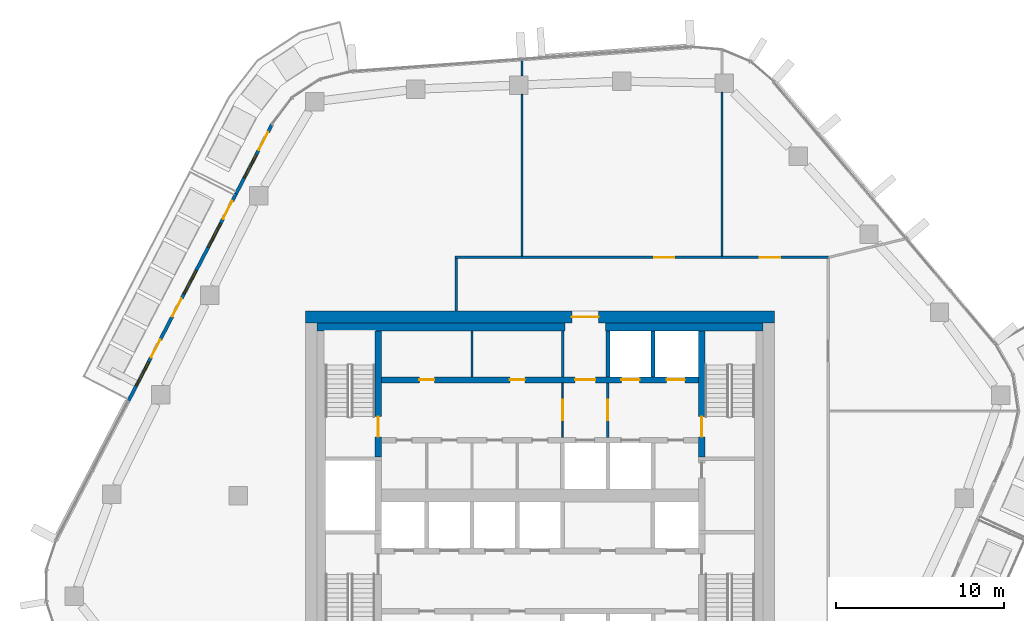
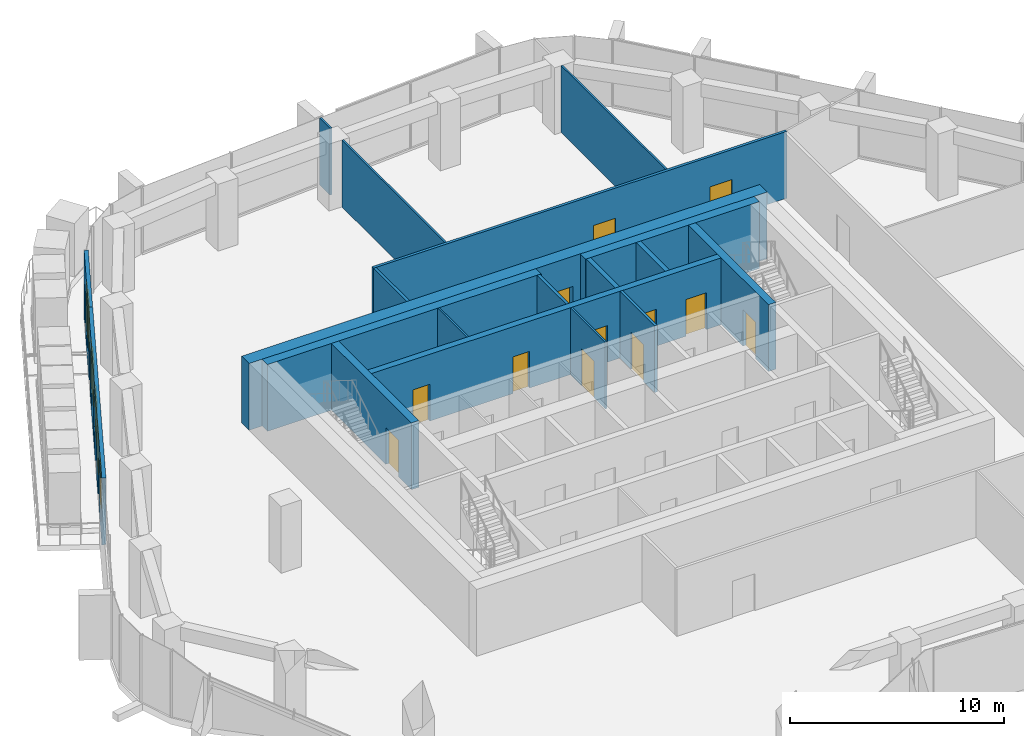
# One storey, part 13 of 21: 19 walls, 16 doors, 4 windows, 20 openings.
"""IFC4 building model written with IfcOpenShell, lengths in metres."""

from ifc_helpers import new_model, si_unit, direction, frame, frame_2d, origin, place, context, subcontext, project, spatial, rectangle, extrude, material, layer, layer_set, type_object, element, fill, save


model = new_model("IFC4")

# Units and contexts
model_context = context("Model", 3, precision=1e-05, world=origin(), true_north=direction((0.0, 1.0)))
body_context = subcontext(model_context, "Body", "Model", "MODEL_VIEW")
ifc_project = project(units=[si_unit("LENGTHUNIT", "METRE"), si_unit("AREAUNIT", "SQUARE_METRE"), si_unit("VOLUMEUNIT", "CUBIC_METRE"), si_unit("PLANEANGLEUNIT", "RADIAN"), si_unit("MASSUNIT", "GRAM", prefix="KILO")], contexts=[model_context])

# Site, building, storey
site_placement = place(None, origin())
site = spatial("IfcSite", under=ifc_project, at=site_placement, CompositionType="ELEMENT")
building_placement = place(site_placement, origin())
building = spatial("IfcBuilding", under=site, at=building_placement, Name="Dongbaek Canopy Tower", CompositionType="ELEMENT")
storey_placement = place(building_placement, frame((0.0, 0.0, 270.60009765625)))
storey = spatial("IfcBuildingStorey", under=building, at=storey_placement, Name="L57", CompositionType="ELEMENT", Elevation=270.60009765625)

# Wall, openings, doors
ifc_material_1 = material(Name="Concrete C60/75", Category="concrete")
ifc_layer_1 = layer(ifc_material_1, 0.35009765625)
ifc_layer_set_1 = layer_set([ifc_layer_1], Name="Core lobby wall 350 Concrete C60/75")
wall_type_1 = type_object("IfcWallType", Name="Core lobby wall 350 Concrete C60/75", PredefinedType="SHEAR", material=ifc_layer_set_1)
wall_1_placement = place(storey_placement, frame((-9.449951171875, 6.89990234375, 0.0), z_axis=(0.0, 0.0, 1.0), x_axis=(1.0, 0.0, 0.0)))
wall_1 = element("IfcWall", 1, at=wall_1_placement, inside=storey, type_object=wall_type_1, Name="Core wall", PredefinedType="SHEAR", context=body_context, shape_type="SweptSolid", body=[
    extrude(rectangle(XDim=18.89990234375, YDim=0.35009765625, at=frame_2d((9.449951171875, 0.0))), origin(), (0.0, 0.0, 1.0), 3.81982421875),
])
opening_1_placement = place(wall_1_placement, frame((11.550048828125, 0.0, 0.0)))
opening_1 = element("IfcOpeningElement", 2, at=opening_1_placement, cuts=wall_1, Name="Opening L57-D008", PredefinedType="OPENING", context=body_context, shape_type="SweptSolid", body=[
    extrude(rectangle(XDim=1.199951171875, YDim=2.10009765625, at=frame_2d((0.60009765625, 1.050048828125))), frame((0.0, 0.18505859375, 0.0), z_axis=(0.0, -1.0, 0.0), x_axis=(1.0, 0.0, 0.0)), (0.0, 0.0, 1.0), 0.3701171875),
])
opening_2_placement = place(wall_1_placement, frame((14.300048828125, 0.0, 0.0)))
opening_2 = element("IfcOpeningElement", 3, at=opening_2_placement, cuts=wall_1, Name="Opening L57-D009", PredefinedType="OPENING", context=body_context, shape_type="SweptSolid", body=[
    extrude(rectangle(XDim=1.10009765625, YDim=2.10009765625, at=frame_2d((0.550048828125, 1.050048828125))), frame((0.0, 0.18505859375, 0.0), z_axis=(0.0, -1.0, 0.0), x_axis=(1.0, 0.0, 0.0)), (0.0, 0.0, 1.0), 0.3701171875),
])
opening_3_placement = place(wall_1_placement, frame((17.0, 0.0, 0.0)))
opening_3 = element("IfcOpeningElement", 4, at=opening_3_placement, cuts=wall_1, Name="Opening L57-D010", PredefinedType="OPENING", context=body_context, shape_type="SweptSolid", body=[
    extrude(rectangle(XDim=1.10009765625, YDim=2.10009765625, at=frame_2d((0.550048828125, 1.050048828125))), frame((0.0, 0.18505859375, 0.0), z_axis=(0.0, -1.0, 0.0), x_axis=(1.0, 0.0, 0.0)), (0.0, 0.0, 1.0), 0.3701171875),
])
opening_4_placement = place(wall_1_placement, frame((2.25, 0.0, 0.0)))
opening_4 = element("IfcOpeningElement", 5, at=opening_4_placement, cuts=wall_1, Name="Opening L57-D021", PredefinedType="OPENING", context=body_context, shape_type="SweptSolid", body=[
    extrude(rectangle(XDim=0.89990234375, YDim=2.10009765625, at=frame_2d((0.449951171875, 1.050048828125))), frame((0.0, 0.18505859375, 0.0), z_axis=(0.0, -1.0, 0.0), x_axis=(1.0, 0.0, 0.0)), (0.0, 0.0, 1.0), 0.3701171875),
])
opening_5_placement = place(wall_1_placement, frame((7.64990234375, 0.0, 0.0)))
opening_5 = element("IfcOpeningElement", 6, at=opening_5_placement, cuts=wall_1, Name="Opening L57-D022", PredefinedType="OPENING", context=body_context, shape_type="SweptSolid", body=[
    extrude(rectangle(XDim=0.89990234375, YDim=2.10009765625, at=frame_2d((0.449951171875, 1.050048828125))), frame((0.0, 0.18505859375, 0.0), z_axis=(0.0, -1.0, 0.0), x_axis=(1.0, 0.0, 0.0)), (0.0, 0.0, 1.0), 0.3701171875),
])
ifc_material_2 = material(Name="Steel", Category="steel")
door_type_1 = type_object("IfcDoorType", Name="Core room door 900 x 2100", OperationType="SINGLE_SWING_LEFT", PredefinedType="DOOR", material=ifc_material_2)
door_1_placement = place(opening_4_placement, origin())
door_1 = element("IfcDoor", 7, at=door_1_placement, inside=storey, type_object=door_type_1, Name="Door L57-D021", OperationType="SINGLE_SWING_RIGHT", OverallHeight=2.10009765625, OverallWidth=0.89990234375, PredefinedType="DOOR", context=body_context, shape_type="SweptSolid", body=[
    extrude(rectangle(XDim=0.89990234375, YDim=2.10009765625, at=frame_2d((0.449951171875, 1.050048828125))), frame((0.0, 0.02490234375, 0.0), z_axis=(0.0, -1.0, 0.0), x_axis=(1.0, 0.0, 0.0)), (0.0, 0.0, 1.0), 0.050048828125),
])
fill(opening_4, door_1)
door_2_placement = place(opening_5_placement, origin())
door_2 = element("IfcDoor", 8, at=door_2_placement, inside=storey, type_object=door_type_1, Name="Door L57-D022", OperationType="SINGLE_SWING_LEFT", OverallHeight=2.10009765625, OverallWidth=0.89990234375, PredefinedType="DOOR", context=body_context, shape_type="SweptSolid", body=[
    extrude(rectangle(XDim=0.89990234375, YDim=2.10009765625, at=frame_2d((0.449951171875, 1.050048828125))), frame((0.0, 0.02490234375, 0.0), z_axis=(0.0, -1.0, 0.0), x_axis=(1.0, 0.0, 0.0)), (0.0, 0.0, 1.0), 0.050048828125),
])
fill(opening_5, door_2)
ifc_material_3 = material(Name="Steel", Category="steel")
door_type_2 = type_object("IfcDoorType", Name="Fire lobby door 1200 x 2100", OperationType="SINGLE_SWING_LEFT", PredefinedType="DOOR", material=ifc_material_3)
door_3_placement = place(opening_1_placement, origin())
door_3 = element("IfcDoor", 9, at=door_3_placement, inside=storey, type_object=door_type_2, Name="Door L57-D008", OperationType="SINGLE_SWING_LEFT", OverallHeight=2.10009765625, OverallWidth=1.199951171875, PredefinedType="DOOR", context=body_context, shape_type="SweptSolid", body=[
    extrude(rectangle(XDim=1.199951171875, YDim=2.10009765625, at=frame_2d((0.60009765625, 1.050048828125))), frame((0.0, 0.02490234375, 0.0), z_axis=(0.0, -1.0, 0.0), x_axis=(1.0, 0.0, 0.0)), (0.0, 0.0, 1.0), 0.050048828125),
])
fill(opening_1, door_3)
ifc_material_4 = material(Name="Stainless steel", Category="steel")
door_type_3 = type_object("IfcDoorType", Name="Lift landing door 1100 x 2100", OperationType="DOUBLE_DOOR_SLIDING", PredefinedType="DOOR", material=ifc_material_4)
door_4_placement = place(opening_2_placement, origin())
door_4 = element("IfcDoor", 10, at=door_4_placement, inside=storey, type_object=door_type_3, Name="Landing door FF1", OperationType="DOUBLE_DOOR_SLIDING", OverallHeight=2.10009765625, OverallWidth=1.10009765625, PredefinedType="DOOR", context=body_context, shape_type="SweptSolid", body=[
    extrude(rectangle(XDim=1.10009765625, YDim=2.10009765625, at=frame_2d((0.550048828125, 1.050048828125))), frame((0.0, 0.02490234375, 0.0), z_axis=(0.0, -1.0, 0.0), x_axis=(1.0, 0.0, 0.0)), (0.0, 0.0, 1.0), 0.050048828125),
])
fill(opening_2, door_4)
door_5_placement = place(opening_3_placement, origin())
door_5 = element("IfcDoor", 11, at=door_5_placement, inside=storey, type_object=door_type_3, Name="Landing door FF2", OperationType="DOUBLE_DOOR_SLIDING", OverallHeight=2.10009765625, OverallWidth=1.10009765625, PredefinedType="DOOR", context=body_context, shape_type="SweptSolid", body=[
    extrude(rectangle(XDim=1.10009765625, YDim=2.10009765625, at=frame_2d((0.550048828125, 1.050048828125))), frame((0.0, 0.02490234375, 0.0), z_axis=(0.0, -1.0, 0.0), x_axis=(1.0, 0.0, 0.0)), (0.0, 0.0, 1.0), 0.050048828125),
])
fill(opening_3, door_5)

# Wall, opening, door
ifc_material_5 = material(Name="Concrete C70/85", Category="concrete")
ifc_layer_2 = layer(ifc_material_5, 0.699951171875)
ifc_layer_set_2 = layer_set([ifc_layer_2], Name="Core outer wall 700 Concrete C70/85")
wall_type_2 = type_object("IfcWallType", Name="Core outer wall 700 Concrete C70/85", PredefinedType="SHEAR", material=ifc_layer_set_2)
wall_2_placement = place(storey_placement, frame((-14.0, 10.64990234375, 0.0), z_axis=(0.0, 0.0, 1.0), x_axis=(1.0, 0.0, 0.0)))
wall_2 = element("IfcWall", 12, at=wall_2_placement, inside=storey, type_object=wall_type_2, Name="Core wall", PredefinedType="SHEAR", context=body_context, shape_type="SweptSolid", body=[
    extrude(rectangle(XDim=28.0, YDim=0.699951171875, at=frame_2d((14.0, 0.0))), origin(), (0.0, 0.0, 1.0), 3.81982421875),
])
opening_6_placement = place(wall_2_placement, frame((15.89990234375, 0.0, 0.0)))
opening_6 = element("IfcOpeningElement", 13, at=opening_6_placement, cuts=wall_2, Name="Opening L57-D007", PredefinedType="OPENING", context=body_context, shape_type="SweptSolid", body=[
    extrude(rectangle(XDim=1.60009765625, YDim=2.10009765625, at=frame_2d((0.800048828125, 1.050048828125))), frame((0.0, 0.35986328125, 0.0), z_axis=(0.0, -1.0, 0.0), x_axis=(1.0, 0.0, 0.0)), (0.0, 0.0, 1.0), 0.719970703125),
])
ifc_material_6 = material(Name="Steel", Category="steel")
door_type_4 = type_object("IfcDoorType", Name="Core exit door 1600 x 2100", OperationType="DOUBLE_DOOR_SINGLE_SWING", PredefinedType="DOOR", material=ifc_material_6)
door_6_placement = place(opening_6_placement, origin())
door_6 = element("IfcDoor", 14, at=door_6_placement, inside=storey, type_object=door_type_4, Name="Core exit door", OperationType="DOUBLE_DOOR_SINGLE_SWING", OverallHeight=2.10009765625, OverallWidth=1.60009765625, PredefinedType="DOOR", context=body_context, shape_type="SweptSolid", body=[
    extrude(rectangle(XDim=1.60009765625, YDim=2.10009765625, at=frame_2d((0.800048828125, 1.050048828125))), frame((0.0, 0.02490234375, 0.0), z_axis=(0.0, -1.0, 0.0), x_axis=(1.0, 0.0, 0.0)), (0.0, 0.0, 1.0), 0.050048828125),
])
fill(opening_6, door_6)

# Walls
ifc_material_7 = material(Name="Concrete C60/75", Category="concrete")
ifc_layer_3 = layer(ifc_material_7, 0.5)
ifc_layer_set_3 = layer_set([ifc_layer_3], Name="Core wall lining 500 Concrete C60/75")
wall_type_3 = type_object("IfcWallType", Name="Core wall lining 500 Concrete C60/75", PredefinedType="SHEAR", material=ifc_layer_set_3)
wall_3_placement = place(storey_placement, frame((-13.300048828125, 10.050048828125, 0.0), z_axis=(0.0, 0.0, 1.0), x_axis=(1.0, 0.0, 0.0)))
element("IfcWall", 15, at=wall_3_placement, inside=storey, type_object=wall_type_3, Name="Core wall lining", PredefinedType="SHEAR", context=body_context, shape_type="SweptSolid", body=[
    extrude(rectangle(XDim=14.800048828125, YDim=0.5, at=frame_2d((7.39990234375, 0.0))), origin(), (0.0, 0.0, 1.0), 3.81982421875),
])
wall_4_placement = place(storey_placement, frame((3.89990234375, 10.050048828125, 0.0), z_axis=(0.0, 0.0, 1.0), x_axis=(1.0, 0.0, 0.0)))
element("IfcWall", 16, at=wall_4_placement, inside=storey, type_object=wall_type_3, Name="Core wall lining", PredefinedType="SHEAR", context=body_context, shape_type="SweptSolid", body=[
    extrude(rectangle(XDim=9.400146484375, YDim=0.5, at=frame_2d((4.7001953125, 0.0))), origin(), (0.0, 0.0, 1.0), 3.81982421875),
])

# Wall, openings, doors
ifc_material_8 = material(Name="Gypsum board partition, steel stud, 2 x 15 mm fire board", Category="steel")
ifc_layer_4 = layer(ifc_material_8, 0.14990234375)
ifc_layer_set_4 = layer_set([ifc_layer_4], Name="Fire-rated partition 150 gypsum board")
wall_type_4 = type_object("IfcWallType", Name="Fire-rated partition 150 gypsum board", PredefinedType="PARTITIONING", material=ifc_layer_set_4)
wall_5_placement = place(storey_placement, frame((-5.074951171875, 14.199951171875, 0.0), z_axis=(0.0, 0.0, 1.0), x_axis=(1.0, 0.0, 0.0)))
wall_5 = element("IfcWall", 17, at=wall_5_placement, inside=storey, type_object=wall_type_4, Name="Corridor partition", PredefinedType="PARTITIONING", context=body_context, shape_type="SweptSolid", body=[
    extrude(rectangle(XDim=22.349853515625, YDim=0.14990234375, at=frame_2d((11.1748046875, 0.0))), origin(), (0.0, 0.0, 1.0), 3.81982421875),
])
opening_7_placement = place(wall_5_placement, frame((18.193115234375, 0.0, 0.0)))
opening_7 = element("IfcOpeningElement", 18, at=opening_7_placement, cuts=wall_5, Name="Opening L57-D004", PredefinedType="OPENING", context=body_context, shape_type="SweptSolid", body=[
    extrude(rectangle(XDim=1.199951171875, YDim=2.10009765625, at=frame_2d((0.60009765625, 1.050048828125))), frame((0.0, 0.0849609375, 0.0), z_axis=(0.0, -1.0, 0.0), x_axis=(1.0, 0.0, 0.0)), (0.0, 0.0, 1.0), 0.169921875),
])
opening_8_placement = place(wall_5_placement, frame((11.887451171875, 0.0, 0.0)))
opening_8 = element("IfcOpeningElement", 19, at=opening_8_placement, cuts=wall_5, Name="Opening L57-D005", PredefinedType="OPENING", context=body_context, shape_type="SweptSolid", body=[
    extrude(rectangle(XDim=1.199951171875, YDim=2.10009765625, at=frame_2d((0.60009765625, 1.050048828125))), frame((0.0, 0.0849609375, 0.0), z_axis=(0.0, -1.0, 0.0), x_axis=(1.0, 0.0, 0.0)), (0.0, 0.0, 1.0), 0.169921875),
])
ifc_material_9 = material(Name="Timber veneered door leaf", Category="wood")
door_type_5 = type_object("IfcDoorType", Name="Room door 1200 x 2100", OperationType="SINGLE_SWING_LEFT", PredefinedType="DOOR", material=ifc_material_9)
door_7_placement = place(opening_7_placement, origin())
door_7 = element("IfcDoor", 20, at=door_7_placement, inside=storey, type_object=door_type_5, Name="Door L57-D004", OperationType="SINGLE_SWING_LEFT", OverallHeight=2.10009765625, OverallWidth=1.199951171875, PredefinedType="DOOR", context=body_context, shape_type="SweptSolid", body=[
    extrude(rectangle(XDim=1.199951171875, YDim=2.10009765625, at=frame_2d((0.60009765625, 1.050048828125))), frame((0.0, 0.02490234375, 0.0), z_axis=(0.0, -1.0, 0.0), x_axis=(1.0, 0.0, 0.0)), (0.0, 0.0, 1.0), 0.050048828125),
])
fill(opening_7, door_7)
door_8_placement = place(opening_8_placement, origin())
door_8 = element("IfcDoor", 21, at=door_8_placement, inside=storey, type_object=door_type_5, Name="Door L57-D005", OperationType="SINGLE_SWING_RIGHT", OverallHeight=2.10009765625, OverallWidth=1.199951171875, PredefinedType="DOOR", context=body_context, shape_type="SweptSolid", body=[
    extrude(rectangle(XDim=1.199951171875, YDim=2.10009765625, at=frame_2d((0.60009765625, 1.050048828125))), frame((0.0, 0.02490234375, 0.0), z_axis=(0.0, -1.0, 0.0), x_axis=(1.0, 0.0, 0.0)), (0.0, 0.0, 1.0), 0.050048828125),
])
fill(opening_8, door_8)

# Wall
wall_6_placement = place(storey_placement, frame((-5.0, 11.0, 0.0), z_axis=(0.0, 0.0, 1.0), x_axis=(0.0, 1.0, 0.0)))
element("IfcWall", 22, at=wall_6_placement, inside=storey, type_object=wall_type_4, Name="Corridor partition", PredefinedType="PARTITIONING", context=body_context, shape_type="SweptSolid", body=[
    extrude(rectangle(XDim=3.125, YDim=0.14990234375, at=frame_2d((1.5625, 0.0))), origin(), (0.0, 0.0, 1.0), 3.81982421875),
])

# Wall, opening, door
wall_7_placement = place(storey_placement, frame((4.050048828125, 6.72509765625, 0.0), z_axis=(0.0, 0.0, 1.0), x_axis=(0.0, -1.0, 0.0)))
wall_7 = element("IfcWall", 23, at=wall_7_placement, inside=storey, type_object=wall_type_4, Name="Fire lobby partition", PredefinedType="PARTITIONING", context=body_context, shape_type="SweptSolid", body=[
    extrude(rectangle(XDim=3.25, YDim=0.14990234375, at=frame_2d((1.625, 0.0))), origin(), (0.0, 0.0, 1.0), 3.81982421875),
])
opening_9_placement = place(wall_7_placement, frame((1.02490234375, 0.0, 0.0)))
opening_9 = element("IfcOpeningElement", 24, at=opening_9_placement, cuts=wall_7, Name="Opening L57-D035", PredefinedType="OPENING", context=body_context, shape_type="SweptSolid", body=[
    extrude(rectangle(XDim=1.199951171875, YDim=2.10009765625, at=frame_2d((0.60009765625, 1.050048828125))), frame((0.0, 0.0849609375, 0.0), z_axis=(0.0, -1.0, 0.0), x_axis=(1.0, 0.0, 0.0)), (0.0, 0.0, 1.0), 0.169921875),
])
door_9_placement = place(opening_9_placement, origin())
door_9 = element("IfcDoor", 25, at=door_9_placement, inside=storey, type_object=door_type_2, Name="Door L57-D035", OperationType="SINGLE_SWING_RIGHT", OverallHeight=2.10009765625, OverallWidth=1.199951171875, PredefinedType="DOOR", context=body_context, shape_type="SweptSolid", body=[
    extrude(rectangle(XDim=1.199951171875, YDim=2.10009765625, at=frame_2d((0.60009765625, 1.050048828125))), frame((0.0, 0.02490234375, 0.0), z_axis=(0.0, -1.0, 0.0), x_axis=(1.0, 0.0, 0.0)), (0.0, 0.0, 1.0), 0.050048828125),
])
fill(opening_9, door_9)

# Walls
wall_8_placement = place(storey_placement, frame((1.35009765625, 7.074951171875, 0.0), z_axis=(0.0, 0.0, 1.0), x_axis=(0.0, 1.0, 0.0)))
element("IfcWall", 26, at=wall_8_placement, inside=storey, type_object=wall_type_4, Name="Fire lobby partition", PredefinedType="PARTITIONING", context=body_context, shape_type="SweptSolid", body=[
    extrude(rectangle(XDim=2.72509765625, YDim=0.14990234375, at=frame_2d((1.362548828125, 0.0))), origin(), (0.0, 0.0, 1.0), 3.81982421875),
])
ifc_material_10 = material(Name="Concrete C40/50", Category="concrete")
ifc_layer_5 = layer(ifc_material_10, 0.25)
ifc_layer_set_5 = layer_set([ifc_layer_5], Name="Lift shaft wall 250 Concrete C40/50")
wall_type_5 = type_object("IfcWallType", Name="Lift shaft wall 250 Concrete C40/50", PredefinedType="SOLIDWALL", material=ifc_layer_set_5)
for number, where, z_axis, x_axis, name in (
    (27, (6.75, 7.074951171875, 0.0), (0.0, 0.0, 1.0), (0.0, 1.0, 0.0), "Lift shaft wall"),
    (28, (4.050048828125, 7.074951171875, 0.0), (0.0, 0.0, 1.0), (0.0, 1.0, 0.0), "Lift shaft wall"),
):
    element("IfcWall", number, at=place(storey_placement, frame(where, z_axis=z_axis, x_axis=x_axis)), inside=storey, type_object=wall_type_5, Name=name, PredefinedType="SOLIDWALL", context=body_context, shape_type="SweptSolid", body=[
        extrude(rectangle(XDim=2.72509765625, YDim=0.25, at=frame_2d((1.362548828125, 0.0))), origin(), (0.0, 0.0, 1.0), 3.81982421875),
    ])
ifc_material_11 = material(Name="Gypsum board partition, steel stud, 2 x 12.5 mm board", Category="steel")
ifc_layer_6 = layer(ifc_material_11, 0.10009765625)
ifc_layer_set_6 = layer_set([ifc_layer_6], Name="Partition 100 gypsum board")
wall_type_6 = type_object("IfcWallType", Name="Partition 100 gypsum board", PredefinedType="PARTITIONING", material=ifc_layer_set_6)
wall_9_placement = place(storey_placement, frame((10.85302734375, 14.27490234375, 0.0), z_axis=(0.0, 0.0, 1.0), x_axis=(0.0, 1.0, 0.0)))
element("IfcWall", 29, at=wall_9_placement, inside=storey, type_object=wall_type_6, Name="Partition", PredefinedType="PARTITIONING", context=body_context, shape_type="SweptSolid", body=[
    extrude(rectangle(XDim=9.774169921875, YDim=0.10009765625, at=frame_2d((4.88720703125, 0.0))), origin(), (0.0, 0.0, 1.0), 3.81982421875),
])
wall_10_placement = place(storey_placement, frame((-1.075927734375, 14.27490234375, 0.0), z_axis=(0.0, 0.0, 1.0), x_axis=(0.0, 1.0, 0.0)))
element("IfcWall", 30, at=wall_10_placement, inside=storey, type_object=wall_type_6, Name="Partition", PredefinedType="PARTITIONING", context=body_context, shape_type="SweptSolid", body=[
    extrude(rectangle(XDim=9.654052734375, YDim=0.10009765625, at=frame_2d((4.8271484375, 0.0))), origin(), (0.0, 0.0, 1.0), 3.81982421875),
])
wall_11_placement = place(storey_placement, frame((-1.075927734375, 25.029052734375, 0.0), z_axis=(0.0, 0.0, 1.0), x_axis=(0.0, 1.0, 0.0)))
element("IfcWall", 31, at=wall_11_placement, inside=storey, type_object=wall_type_6, Name="Partition", PredefinedType="PARTITIONING", context=body_context, shape_type="SweptSolid", body=[
    extrude(rectangle(XDim=0.97607421875, YDim=0.10009765625, at=frame_2d((0.488037109375, 0.0))), origin(), (0.0, 0.0, 1.0), 3.81982421875),
])

# Wall, opening, door
wall_12_placement = place(storey_placement, frame((1.35009765625, 6.72509765625, 0.0), z_axis=(0.0, 0.0, 1.0), x_axis=(0.0, -1.0, 0.0)))
wall_12 = element("IfcWall", 32, at=wall_12_placement, inside=storey, type_object=wall_type_6, Name="Core partition", PredefinedType="PARTITIONING", context=body_context, shape_type="SweptSolid", body=[
    extrude(rectangle(XDim=3.25, YDim=0.10009765625, at=frame_2d((1.625, 0.0))), origin(), (0.0, 0.0, 1.0), 3.81982421875),
])
opening_10_placement = place(wall_12_placement, frame((1.02490234375, 0.0, 0.0)))
opening_10 = element("IfcOpeningElement", 33, at=opening_10_placement, cuts=wall_12, Name="Opening L57-D034", PredefinedType="OPENING", context=body_context, shape_type="SweptSolid", body=[
    extrude(rectangle(XDim=1.199951171875, YDim=2.10009765625, at=frame_2d((0.60009765625, 1.050048828125))), frame((0.0, 0.06005859375, 0.0), z_axis=(0.0, -1.0, 0.0), x_axis=(1.0, 0.0, 0.0)), (0.0, 0.0, 1.0), 0.1201171875),
])
door_10_placement = place(opening_10_placement, origin())
door_10 = element("IfcDoor", 34, at=door_10_placement, inside=storey, type_object=door_type_2, Name="Door L57-D034", OperationType="SINGLE_SWING_LEFT", OverallHeight=2.10009765625, OverallWidth=1.199951171875, PredefinedType="DOOR", context=body_context, shape_type="SweptSolid", body=[
    extrude(rectangle(XDim=1.199951171875, YDim=2.10009765625, at=frame_2d((0.60009765625, 1.050048828125))), frame((0.0, 0.02490234375, 0.0), z_axis=(0.0, -1.0, 0.0), x_axis=(1.0, 0.0, 0.0)), (0.0, 0.0, 1.0), 0.050048828125),
])
fill(opening_10, door_10)

# Wall
wall_13_placement = place(storey_placement, frame((-4.050048828125, 7.074951171875, 0.0), z_axis=(0.0, 0.0, 1.0), x_axis=(0.0, 1.0, 0.0)))
element("IfcWall", 35, at=wall_13_placement, inside=storey, type_object=wall_type_6, Name="Core partition", PredefinedType="PARTITIONING", context=body_context, shape_type="SweptSolid", body=[
    extrude(rectangle(XDim=2.72509765625, YDim=0.10009765625, at=frame_2d((1.362548828125, 0.0))), origin(), (0.0, 0.0, 1.0), 3.81982421875),
])

# Wall, opening, door
ifc_material_12 = material(Name="Concrete C60/75", Category="concrete")
ifc_layer_7 = layer(ifc_material_12, 0.39990234375)
ifc_layer_set_7 = layer_set([ifc_layer_7], Name="Stair wall 400 Concrete C60/75")
wall_type_7 = type_object("IfcWallType", Name="Stair wall 400 Concrete C60/75", PredefinedType="SHEAR", material=ifc_layer_set_7)
wall_14_placement = place(storey_placement, frame((9.64990234375, 9.800048828125, 0.0), z_axis=(0.0, 0.0, 1.0), x_axis=(0.0, -1.0, 0.0)))
wall_14 = element("IfcWall", 36, at=wall_14_placement, inside=storey, type_object=wall_type_7, Name="Stair wall", PredefinedType="SHEAR", context=body_context, shape_type="SweptSolid", body=[
    extrude(rectangle(XDim=7.5, YDim=0.39990234375, at=frame_2d((3.75, 0.0))), origin(), (0.0, 0.0, 1.0), 3.81982421875),
])
opening_11_placement = place(wall_14_placement, frame((5.10009765625, 0.0, 0.0)))
opening_11 = element("IfcOpeningElement", 37, at=opening_11_placement, cuts=wall_14, Name="Opening L57-D030", PredefinedType="OPENING", context=body_context, shape_type="SweptSolid", body=[
    extrude(rectangle(XDim=1.199951171875, YDim=2.10009765625, at=frame_2d((0.60009765625, 1.050048828125))), frame((0.0, 0.2099609375, 0.0), z_axis=(0.0, -1.0, 0.0), x_axis=(1.0, 0.0, 0.0)), (0.0, 0.0, 1.0), 0.419921875),
])
ifc_material_13 = material(Name="Steel", Category="steel")
door_type_6 = type_object("IfcDoorType", Name="Stair door 1200 x 2100", OperationType="SINGLE_SWING_LEFT", PredefinedType="DOOR", material=ifc_material_13)
door_11_placement = place(opening_11_placement, origin())
door_11 = element("IfcDoor", 38, at=door_11_placement, inside=storey, type_object=door_type_6, Name="Stair A door", OperationType="SINGLE_SWING_LEFT", OverallHeight=2.10009765625, OverallWidth=1.199951171875, PredefinedType="DOOR", context=body_context, shape_type="SweptSolid", body=[
    extrude(rectangle(XDim=1.199951171875, YDim=2.10009765625, at=frame_2d((0.60009765625, 1.050048828125))), frame((0.0, 0.02490234375, 0.0), z_axis=(0.0, -1.0, 0.0), x_axis=(1.0, 0.0, 0.0)), (0.0, 0.0, 1.0), 0.050048828125),
])
fill(opening_11, door_11)

wall_15_placement = place(storey_placement, frame((-9.64990234375, 2.300048828125, 0.0), z_axis=(0.0, 0.0, 1.0), x_axis=(0.0, 1.0, 0.0)))
wall_15 = element("IfcWall", 39, at=wall_15_placement, inside=storey, type_object=wall_type_7, Name="Stair wall", PredefinedType="SHEAR", context=body_context, shape_type="SweptSolid", body=[
    extrude(rectangle(XDim=7.5, YDim=0.39990234375, at=frame_2d((3.75, 0.0))), origin(), (0.0, 0.0, 1.0), 3.81982421875),
])
opening_12_placement = place(wall_15_placement, frame((1.199951171875, 0.0, 0.0)))
opening_12 = element("IfcOpeningElement", 40, at=opening_12_placement, cuts=wall_15, Name="Opening L57-D031", PredefinedType="OPENING", context=body_context, shape_type="SweptSolid", body=[
    extrude(rectangle(XDim=1.199951171875, YDim=2.10009765625, at=frame_2d((0.60009765625, 1.050048828125))), frame((0.0, 0.2099609375, 0.0), z_axis=(0.0, -1.0, 0.0), x_axis=(1.0, 0.0, 0.0)), (0.0, 0.0, 1.0), 0.419921875),
])
door_12_placement = place(opening_12_placement, origin())
door_12 = element("IfcDoor", 41, at=door_12_placement, inside=storey, type_object=door_type_6, Name="Stair C door", OperationType="SINGLE_SWING_RIGHT", OverallHeight=2.10009765625, OverallWidth=1.199951171875, PredefinedType="DOOR", context=body_context, shape_type="SweptSolid", body=[
    extrude(rectangle(XDim=1.199951171875, YDim=2.10009765625, at=frame_2d((0.60009765625, 1.050048828125))), frame((0.0, 0.02490234375, 0.0), z_axis=(0.0, -1.0, 0.0), x_axis=(1.0, 0.0, 0.0)), (0.0, 0.0, 1.0), 0.050048828125),
])
fill(opening_12, door_12)

# Wall, openings, doors, windows
ifc_material_14 = material(Name="Aluminium window wall", Category="aluminium")
ifc_layer_8 = layer(ifc_material_14, 0.199951171875)
ifc_layer_set_8 = layer_set([ifc_layer_8], Name="Window wall 200")
wall_type_8 = type_object("IfcWallType", Name="Window wall 200", PredefinedType="SOLIDWALL", material=ifc_layer_set_8)
wall_16_placement = place(storey_placement, frame((-18.12744140625, 18.004150390625, 0.0), z_axis=(0.0, 0.0, 1.0), x_axis=(-0.460887329436, -0.887458657947, 0.0)))
wall_16 = element("IfcWall", 42, at=wall_16_placement, inside=storey, type_object=wall_type_8, Name="Window wall L57 1", PredefinedType="SOLIDWALL", context=body_context, shape_type="SweptSolid", body=[
    extrude(rectangle(XDim=13.95849609375, YDim=0.199951171875, at=frame_2d((6.979248046875, 0.0))), origin(), (0.0, 0.0, 1.0), 3.81982421875),
])
opening_13_placement = place(wall_16_placement, frame((2.0, 0.0, 0.60009765625)))
opening_13 = element("IfcOpeningElement", 43, at=opening_13_placement, cuts=wall_16, Name="Opening W1", PredefinedType="OPENING", context=body_context, shape_type="SweptSolid", body=[
    extrude(rectangle(XDim=1.60009765625, YDim=2.39990234375, at=frame_2d((0.800048828125, 1.199951171875))), frame((0.0, 0.10986328125, 0.0), z_axis=(0.0, -1.0, 0.0), x_axis=(1.0, 0.0, 0.0)), (0.0, 0.0, 1.0), 0.219970703125),
])
opening_14_placement = place(wall_16_placement, frame((0.5, 0.0, 0.0)))
opening_14 = element("IfcOpeningElement", 44, at=opening_14_placement, cuts=wall_16, Name="Opening L57-B01", PredefinedType="OPENING", context=body_context, shape_type="SweptSolid", body=[
    extrude(rectangle(XDim=1.199951171875, YDim=2.39990234375, at=frame_2d((0.60009765625, 1.199951171875))), frame((0.0, 0.10986328125, 0.0), z_axis=(0.0, -1.0, 0.0), x_axis=(1.0, 0.0, 0.0)), (0.0, 0.0, 1.0), 0.219970703125),
])
opening_15_placement = place(wall_16_placement, frame((5.15283203125, 0.0, 0.60009765625)))
opening_15 = element("IfcOpeningElement", 45, at=opening_15_placement, cuts=wall_16, Name="Opening W1", PredefinedType="OPENING", context=body_context, shape_type="SweptSolid", body=[
    extrude(rectangle(XDim=1.60009765625, YDim=2.39990234375, at=frame_2d((0.800048828125, 1.199951171875))), frame((0.0, 0.10986328125, 0.0), z_axis=(0.0, -1.0, 0.0), x_axis=(1.0, 0.0, 0.0)), (0.0, 0.0, 1.0), 0.219970703125),
])
opening_16_placement = place(wall_16_placement, frame((7.052978515625, 0.0, 0.0)))
opening_16 = element("IfcOpeningElement", 46, at=opening_16_placement, cuts=wall_16, Name="Opening L57-B02", PredefinedType="OPENING", context=body_context, shape_type="SweptSolid", body=[
    extrude(rectangle(XDim=1.199951171875, YDim=2.39990234375, at=frame_2d((0.60009765625, 1.199951171875))), frame((0.0, 0.10986328125, 0.0), z_axis=(0.0, -1.0, 0.0), x_axis=(1.0, 0.0, 0.0)), (0.0, 0.0, 1.0), 0.219970703125),
])
opening_17_placement = place(wall_16_placement, frame((11.3056640625, 0.0, 0.60009765625)))
opening_17 = element("IfcOpeningElement", 47, at=opening_17_placement, cuts=wall_16, Name="Opening W1", PredefinedType="OPENING", context=body_context, shape_type="SweptSolid", body=[
    extrude(rectangle(XDim=1.60009765625, YDim=2.39990234375, at=frame_2d((0.800048828125, 1.199951171875))), frame((0.0, 0.10986328125, 0.0), z_axis=(0.0, -1.0, 0.0), x_axis=(1.0, 0.0, 0.0)), (0.0, 0.0, 1.0), 0.219970703125),
])
opening_18_placement = place(wall_16_placement, frame((9.8056640625, 0.0, 0.0)))
opening_18 = element("IfcOpeningElement", 48, at=opening_18_placement, cuts=wall_16, Name="Opening L57-B03", PredefinedType="OPENING", context=body_context, shape_type="SweptSolid", body=[
    extrude(rectangle(XDim=1.199951171875, YDim=2.39990234375, at=frame_2d((0.60009765625, 1.199951171875))), frame((0.0, 0.10986328125, 0.0), z_axis=(0.0, -1.0, 0.0), x_axis=(1.0, 0.0, 0.0)), (0.0, 0.0, 1.0), 0.219970703125),
])
ifc_material_15 = material(Name="Clear glazing in aluminium frame", Category="aluminium")
door_type_7 = type_object("IfcDoorType", Name="Balcony door BD1 1200 x 2400", OperationType="SLIDING_TO_LEFT", PredefinedType="DOOR", material=ifc_material_15)
door_13_placement = place(opening_14_placement, origin())
door_13 = element("IfcDoor", 49, at=door_13_placement, inside=storey, type_object=door_type_7, Name="Balcony door L57-B01", OperationType="SLIDING_TO_LEFT", OverallHeight=2.39990234375, OverallWidth=1.199951171875, PredefinedType="DOOR", context=body_context, shape_type="SweptSolid", body=[
    extrude(rectangle(XDim=1.199951171875, YDim=2.39990234375, at=frame_2d((0.60009765625, 1.199951171875))), frame((0.0, 0.02490234375, 0.0), z_axis=(0.0, -1.0, 0.0), x_axis=(1.0, 0.0, 0.0)), (0.0, 0.0, 1.0), 0.050048828125),
])
fill(opening_14, door_13)
door_14_placement = place(opening_16_placement, origin())
door_14 = element("IfcDoor", 50, at=door_14_placement, inside=storey, type_object=door_type_7, Name="Balcony door L57-B02", OperationType="SLIDING_TO_LEFT", OverallHeight=2.39990234375, OverallWidth=1.199951171875, PredefinedType="DOOR", context=body_context, shape_type="SweptSolid", body=[
    extrude(rectangle(XDim=1.199951171875, YDim=2.39990234375, at=frame_2d((0.60009765625, 1.199951171875))), frame((0.0, 0.02490234375, 0.0), z_axis=(0.0, -1.0, 0.0), x_axis=(1.0, 0.0, 0.0)), (0.0, 0.0, 1.0), 0.050048828125),
])
fill(opening_16, door_14)
door_15_placement = place(opening_18_placement, origin())
door_15 = element("IfcDoor", 51, at=door_15_placement, inside=storey, type_object=door_type_7, Name="Balcony door L57-B03", OperationType="SLIDING_TO_LEFT", OverallHeight=2.39990234375, OverallWidth=1.199951171875, PredefinedType="DOOR", context=body_context, shape_type="SweptSolid", body=[
    extrude(rectangle(XDim=1.199951171875, YDim=2.39990234375, at=frame_2d((0.60009765625, 1.199951171875))), frame((0.0, 0.02490234375, 0.0), z_axis=(0.0, -1.0, 0.0), x_axis=(1.0, 0.0, 0.0)), (0.0, 0.0, 1.0), 0.050048828125),
])
fill(opening_18, door_15)
ifc_material_16 = material(Name="Clear glazing in aluminium frame", Category="aluminium")
window_type = type_object("IfcWindowType", Name="Window W1 1600 x 2400", PartitioningType="SINGLE_PANEL", PredefinedType="WINDOW", material=ifc_material_16)
window_1_placement = place(opening_13_placement, origin())
window_1 = element("IfcWindow", 52, at=window_1_placement, inside=storey, type_object=window_type, Name="Window L57 1.1", OverallHeight=2.39990234375, OverallWidth=1.60009765625, PartitioningType="SINGLE_PANEL", PredefinedType="WINDOW", context=body_context, shape_type="SweptSolid", body=[
    extrude(rectangle(XDim=1.60009765625, YDim=2.39990234375, at=frame_2d((0.800048828125, 1.199951171875))), frame((0.0, 0.030029296875, 0.0), z_axis=(0.0, -1.0, 0.0), x_axis=(1.0, 0.0, 0.0)), (0.0, 0.0, 1.0), 0.06005859375),
])
fill(opening_13, window_1)
window_2_placement = place(opening_15_placement, origin())
window_2 = element("IfcWindow", 53, at=window_2_placement, inside=storey, type_object=window_type, Name="Window L57 1.2", OverallHeight=2.39990234375, OverallWidth=1.60009765625, PartitioningType="SINGLE_PANEL", PredefinedType="WINDOW", context=body_context, shape_type="SweptSolid", body=[
    extrude(rectangle(XDim=1.60009765625, YDim=2.39990234375, at=frame_2d((0.800048828125, 1.199951171875))), frame((0.0, 0.030029296875, 0.0), z_axis=(0.0, -1.0, 0.0), x_axis=(1.0, 0.0, 0.0)), (0.0, 0.0, 1.0), 0.06005859375),
])
fill(opening_15, window_2)
window_3_placement = place(opening_17_placement, origin())
window_3 = element("IfcWindow", 54, at=window_3_placement, inside=storey, type_object=window_type, Name="Window L57 1.3", OverallHeight=2.39990234375, OverallWidth=1.60009765625, PartitioningType="SINGLE_PANEL", PredefinedType="WINDOW", context=body_context, shape_type="SweptSolid", body=[
    extrude(rectangle(XDim=1.60009765625, YDim=2.39990234375, at=frame_2d((0.800048828125, 1.199951171875))), frame((0.0, 0.030029296875, 0.0), z_axis=(0.0, -1.0, 0.0), x_axis=(1.0, 0.0, 0.0)), (0.0, 0.0, 1.0), 0.06005859375),
])
fill(opening_17, window_3)

# Wall, openings, door, window
wall_17_placement = place(storey_placement, frame((-15.987060546875, 22.1259765625, 0.0), z_axis=(0.0, 0.0, 1.0), x_axis=(-0.460849508125, -0.887478298811, 0.0)))
wall_17 = element("IfcWall", 55, at=wall_17_placement, inside=storey, type_object=wall_type_8, Name="Window wall L57 5", PredefinedType="SOLIDWALL", context=body_context, shape_type="SweptSolid", body=[
    extrude(rectangle(XDim=4.64453125, YDim=0.199951171875, at=frame_2d((2.322265625, 0.0))), origin(), (0.0, 0.0, 1.0), 3.81982421875),
])
opening_19_placement = place(wall_17_placement, frame((2.0, 0.0, 0.60009765625)))
opening_19 = element("IfcOpeningElement", 56, at=opening_19_placement, cuts=wall_17, Name="Opening W1", PredefinedType="OPENING", context=body_context, shape_type="SweptSolid", body=[
    extrude(rectangle(XDim=1.60009765625, YDim=2.39990234375, at=frame_2d((0.800048828125, 1.199951171875))), frame((0.0, 0.10986328125, 0.0), z_axis=(0.0, -1.0, 0.0), x_axis=(1.0, 0.0, 0.0)), (0.0, 0.0, 1.0), 0.219970703125),
])
opening_20_placement = place(wall_17_placement, frame((0.5, 0.0, 0.0)))
opening_20 = element("IfcOpeningElement", 57, at=opening_20_placement, cuts=wall_17, Name="Opening L57-B04", PredefinedType="OPENING", context=body_context, shape_type="SweptSolid", body=[
    extrude(rectangle(XDim=1.199951171875, YDim=2.39990234375, at=frame_2d((0.60009765625, 1.199951171875))), frame((0.0, 0.10986328125, 0.0), z_axis=(0.0, -1.0, 0.0), x_axis=(1.0, 0.0, 0.0)), (0.0, 0.0, 1.0), 0.219970703125),
])
door_16_placement = place(opening_20_placement, origin())
door_16 = element("IfcDoor", 58, at=door_16_placement, inside=storey, type_object=door_type_7, Name="Balcony door L57-B04", OperationType="SLIDING_TO_LEFT", OverallHeight=2.39990234375, OverallWidth=1.199951171875, PredefinedType="DOOR", context=body_context, shape_type="SweptSolid", body=[
    extrude(rectangle(XDim=1.199951171875, YDim=2.39990234375, at=frame_2d((0.60009765625, 1.199951171875))), frame((0.0, 0.02490234375, 0.0), z_axis=(0.0, -1.0, 0.0), x_axis=(1.0, 0.0, 0.0)), (0.0, 0.0, 1.0), 0.050048828125),
])
fill(opening_20, door_16)
window_4_placement = place(opening_19_placement, origin())
window_4 = element("IfcWindow", 59, at=window_4_placement, inside=storey, type_object=window_type, Name="Window L57 5.1", OverallHeight=2.39990234375, OverallWidth=1.60009765625, PartitioningType="SINGLE_PANEL", PredefinedType="WINDOW", context=body_context, shape_type="SweptSolid", body=[
    extrude(rectangle(XDim=1.60009765625, YDim=2.39990234375, at=frame_2d((0.800048828125, 1.199951171875))), frame((0.0, 0.030029296875, 0.0), z_axis=(0.0, -1.0, 0.0), x_axis=(1.0, 0.0, 0.0)), (0.0, 0.0, 1.0), 0.06005859375),
])
fill(opening_19, window_4)

save(model, "model.ifc")
